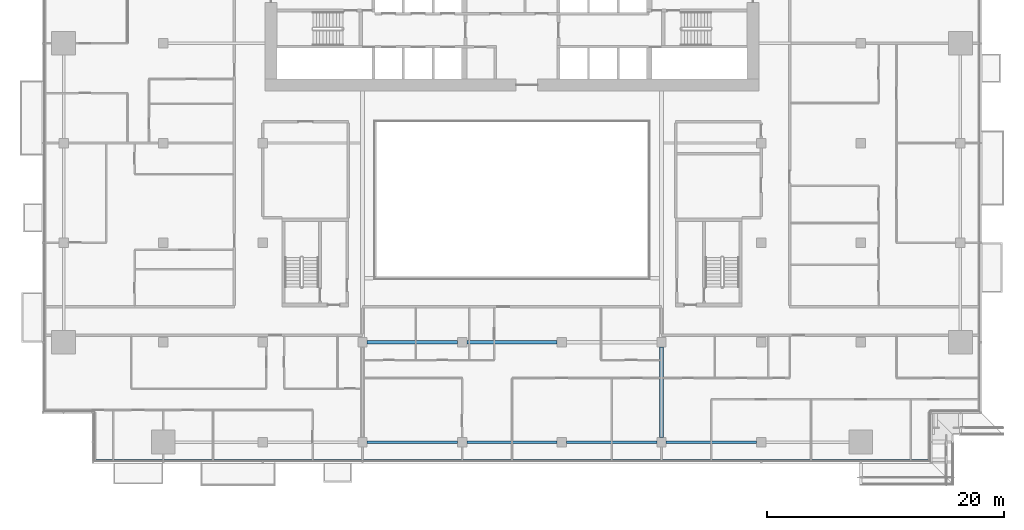
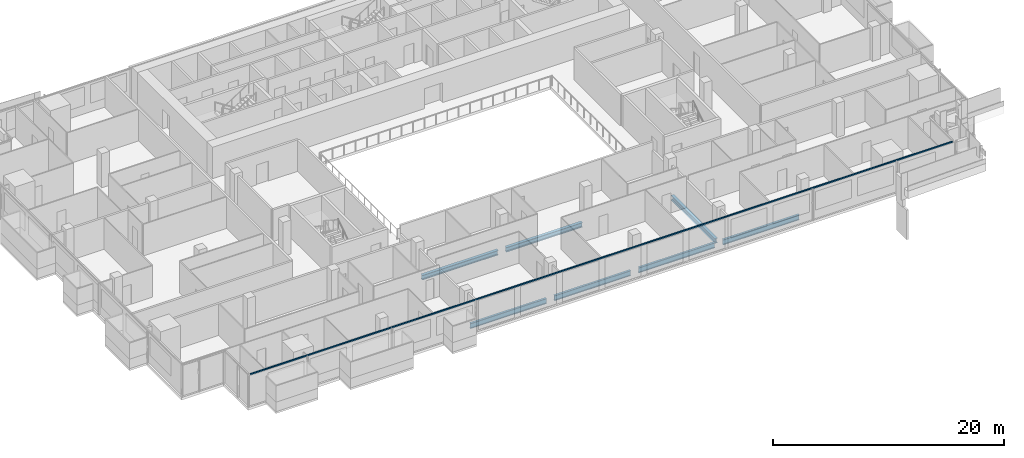
# One storey, part 5 of 29: 7 beams, 1 member, 1 element without a shape of its own.
"""IFC4 building model written with IfcOpenShell, lengths in metres."""

from ifc_helpers import new_model, si_unit, direction, frame, origin, origin_2d, place, context, subcontext, project, spatial, rectangle, i_section, extrude, material, material_profile, profile_set, type_object, element, aggregate, save


model = new_model("IFC4")

# Units and contexts
model_context = context("Model", 3, precision=1e-05, world=origin(), true_north=direction((0.0, 1.0)))
body_context = subcontext(model_context, "Body", "Model", "MODEL_VIEW")
ifc_project = project(units=[si_unit("LENGTHUNIT", "METRE"), si_unit("AREAUNIT", "SQUARE_METRE"), si_unit("VOLUMEUNIT", "CUBIC_METRE"), si_unit("PLANEANGLEUNIT", "RADIAN"), si_unit("MASSUNIT", "GRAM", prefix="KILO")], contexts=[model_context])

# Site, building, storey
site_placement = place(None, origin())
site = spatial("IfcSite", under=ifc_project, at=site_placement, CompositionType="ELEMENT")
building_placement = place(site_placement, origin())
building = spatial("IfcBuilding", under=site, at=building_placement, Name="Saffron Gate Tower", CompositionType="ELEMENT")
storey_placement = place(building_placement, frame((0.0, 0.0, 106.050048828125)))
storey = spatial("IfcBuildingStorey", under=building, at=storey_placement, Name="L24", CompositionType="ELEMENT", Elevation=106.050048828125)

# Beams
ifc_material_1 = material(Name="Structural steel S355", Category="steel")
ifc_material_profile_1 = material_profile(ifc_material_1, i_section(OverallWidth=0.2099609375, OverallDepth=0.550048828125, WebThickness=0.010986328125, FlangeThickness=0.01708984375, FilletRadius=0.02392578125, at=origin_2d()))
ifc_profile_set_1 = profile_set([ifc_material_profile_1], Name="Structural steel S355")
beam_type_1 = type_object("IfcBeamType", Name="B13 IPE 550", PredefinedType="SPANDREL", material=ifc_profile_set_1)
beam_1_placement = place(storey_placement, frame((75.39990234375, 31.800048828125, -0.554931640625), z_axis=(1.0, 0.0, 0.0), x_axis=(0.0, 1.0, 0.0)))
element("IfcBeam", 1, at=beam_1_placement, inside=storey, type_object=beam_type_1, Name="B13 SPANDREL BEAM", PredefinedType="SPANDREL", context=body_context, shape_type="SweptSolid", body=[
    extrude(i_section(OverallWidth=0.2099609375, OverallDepth=0.550048828125, WebThickness=0.010986328125, FlangeThickness=0.01708984375, FilletRadius=0.02392578125, at=origin_2d()), origin(), (0.0, 0.0, 1.0), 7.60009765625),
])
beam_2_placement = place(storey_placement, frame((83.800048828125, 31.800048828125, -0.554931640625), z_axis=(1.0, 0.0, 0.0), x_axis=(0.0, 1.0, 0.0)))
element("IfcBeam", 2, at=beam_2_placement, inside=storey, type_object=beam_type_1, Name="B13 SPANDREL BEAM", PredefinedType="SPANDREL", context=body_context, shape_type="SweptSolid", body=[
    extrude(i_section(OverallWidth=0.2099609375, OverallDepth=0.550048828125, WebThickness=0.010986328125, FlangeThickness=0.01708984375, FilletRadius=0.02392578125, at=origin_2d()), origin(), (0.0, 0.0, 1.0), 7.599853515625),
])
beam_3_placement = place(storey_placement, frame((92.199951171875, 31.800048828125, -0.554931640625), z_axis=(1.0, 0.0, 0.0), x_axis=(0.0, 1.0, 0.0)))
element("IfcBeam", 3, at=beam_3_placement, inside=storey, type_object=beam_type_1, Name="B13 SPANDREL BEAM", PredefinedType="SPANDREL", context=body_context, shape_type="SweptSolid", body=[
    extrude(i_section(OverallWidth=0.2099609375, OverallDepth=0.550048828125, WebThickness=0.010986328125, FlangeThickness=0.01708984375, FilletRadius=0.02392578125, at=origin_2d()), origin(), (0.0, 0.0, 1.0), 7.60009765625),
])
beam_4_placement = place(storey_placement, frame((100.60009765625, 31.800048828125, -0.554931640625), z_axis=(1.0, 0.0, 0.0), x_axis=(0.0, 1.0, 0.0)))
element("IfcBeam", 4, at=beam_4_placement, inside=storey, type_object=beam_type_1, Name="B13 SPANDREL BEAM", PredefinedType="SPANDREL", context=body_context, shape_type="SweptSolid", body=[
    extrude(i_section(OverallWidth=0.2099609375, OverallDepth=0.550048828125, WebThickness=0.010986328125, FlangeThickness=0.01708984375, FilletRadius=0.02392578125, at=origin_2d()), origin(), (0.0, 0.0, 1.0), 7.599853515625),
])
ifc_material_profile_2 = material_profile(ifc_material_1, i_section(OverallWidth=0.300048828125, OverallDepth=0.489990234375, WebThickness=0.011962890625, FlangeThickness=0.02294921875, FilletRadius=0.027099609375, at=origin_2d()))
ifc_profile_set_2 = profile_set([ifc_material_profile_2], Name="Structural steel S355")
beam_type_2 = type_object("IfcBeamType", Name="B8 HEA 500", PredefinedType="BEAM", material=ifc_profile_set_2)
for number, where, z_axis, x_axis, name in (
    (5, (100.199951171875, 32.199951171875, -0.525146484375), (0.0, 1.0, 0.0), (-1.0, 0.0, 0.0), "B8 FLOOR GIRDER"),
    (6, (75.39990234375, 40.199951171875, -0.525146484375), (1.0, 0.0, 0.0), (0.0, 1.0, 0.0), "B8 FLOOR GIRDER"),
):
    element("IfcBeam", number, at=place(storey_placement, frame(where, z_axis=z_axis, x_axis=x_axis)), inside=storey, type_object=beam_type_2, Name=name, PredefinedType="BEAM", context=body_context, shape_type="SweptSolid", body=[
        extrude(i_section(OverallWidth=0.300048828125, OverallDepth=0.489990234375, WebThickness=0.011962890625, FlangeThickness=0.02294921875, FilletRadius=0.027099609375, at=origin_2d()), origin(), (0.0, 0.0, 1.0), 7.60009765625),
    ])
beam_5_placement = place(storey_placement, frame((83.800048828125, 40.199951171875, -0.525146484375), z_axis=(1.0, 0.0, 0.0), x_axis=(0.0, 1.0, 0.0)))
element("IfcBeam", 7, at=beam_5_placement, inside=storey, type_object=beam_type_2, Name="B8 FLOOR GIRDER", PredefinedType="BEAM", context=body_context, shape_type="SweptSolid", body=[
    extrude(i_section(OverallWidth=0.300048828125, OverallDepth=0.489990234375, WebThickness=0.011962890625, FlangeThickness=0.02294921875, FilletRadius=0.027099609375, at=origin_2d()), origin(), (0.0, 0.0, 1.0), 7.599853515625),
])

# Curtain wall, member
ifc_material_2 = material(Name="Aluminium, bronze anodised", Category="aluminium")
curtain_wall_type = type_object("IfcCurtainWallType", Name="CWS1 curtain wall front facade", PredefinedType="NOTDEFINED", material=ifc_material_2)
curtain_wall_placement = place(storey_placement, origin())
curtain_wall = element("IfcCurtainWall", 8, at=curtain_wall_placement, inside=storey, type_object=curtain_wall_type, Name="CWS1 run 1", PredefinedType="NOTDEFINED")
ifc_material_profile_3 = material_profile(ifc_material_2, rectangle(XDim=0.1201171875, YDim=0.1201171875, at=origin_2d()))
ifc_profile_set_3 = profile_set([ifc_material_profile_3], Name="Aluminium, bronze anodised")
member_type = type_object("IfcMemberType", Name="CWS1 head transom", PredefinedType="USERDEFINED", material=ifc_profile_set_3)
member_placement = place(storey_placement, frame((52.568115234375, 30.248046875, 3.260009765625), z_axis=(1.0, 0.0, 0.0), x_axis=(0.0, 1.0, 0.0)))
member = element("IfcMember", 9, at=member_placement, type_object=member_type, Name="CWS1 head transom", ObjectType="TRANSOM", PredefinedType="USERDEFINED", context=body_context, shape_type="SweptSolid", body=[
    extrude(rectangle(XDim=0.1201171875, YDim=0.1201171875, at=origin_2d()), origin(), (0.0, 0.0, 1.0), 70.06396484375),
])
aggregate(curtain_wall, [member])

save(model, "model.ifc")
